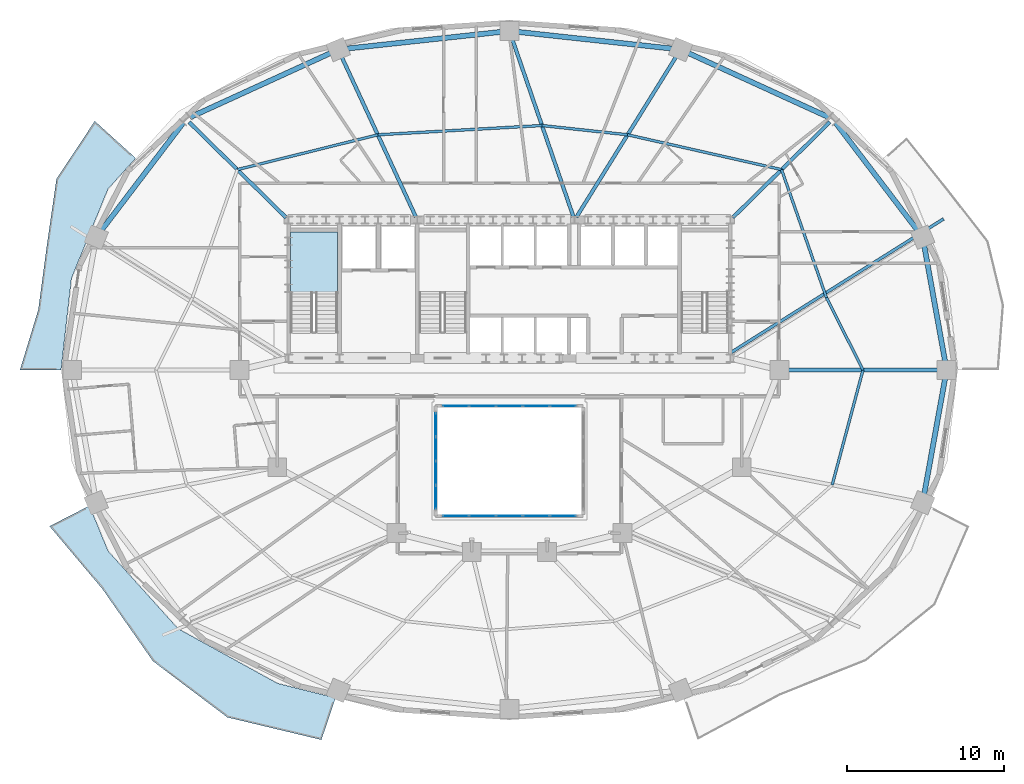
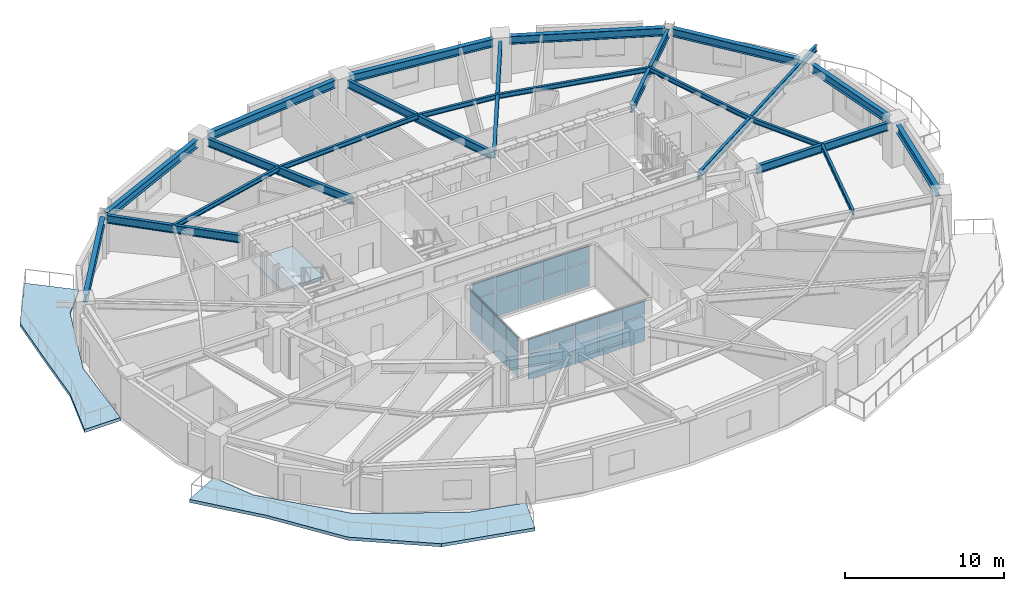
# One storey, part 5 of 14: 28 plates, 22 beams, 3 slabs, 4 elements without a shape of their own.
"""IFC4 building model written with IfcOpenShell, lengths in metres."""

from ifc_helpers import new_model, si_unit, direction, frame, origin, origin_2d, place, context, subcontext, project, spatial, polyline, rectangle, i_section, outline, extrude, material, layer, layer_set, material_profile, profile_set, type_object, element, aggregate, save


model = new_model("IFC4")

# Units and contexts
model_context = context("Model", 3, precision=1e-05, world=origin(), true_north=direction((0.0, 1.0)))
body_context = subcontext(model_context, "Body", "Model", "MODEL_VIEW")
ifc_project = project(units=[si_unit("LENGTHUNIT", "METRE"), si_unit("AREAUNIT", "SQUARE_METRE"), si_unit("VOLUMEUNIT", "CUBIC_METRE"), si_unit("PLANEANGLEUNIT", "RADIAN"), si_unit("MASSUNIT", "GRAM", prefix="KILO")], contexts=[model_context])

# Site, building, storey
site_placement = place(None, origin())
site = spatial("IfcSite", under=ifc_project, at=site_placement, CompositionType="ELEMENT")
building_placement = place(site_placement, origin())
building = spatial("IfcBuilding", under=site, at=building_placement, Name="Haldorwick Loom Tower", CompositionType="ELEMENT")
storey_placement = place(building_placement, frame((0.0, 0.0, 95.60009765625)))
storey = spatial("IfcBuildingStorey", under=building, at=storey_placement, Name="L25", CompositionType="ELEMENT", Elevation=95.60009765625)

# Beams
ifc_material_1 = material(Name="Steel CSA G40.21 350W", Category="steel")
ifc_material_profile_1 = material_profile(ifc_material_1, i_section(OverallWidth=0.193115234375, OverallDepth=0.466064453125, WebThickness=0.011474609375, FlangeThickness=0.01904296875, at=origin_2d()), Name="W460X97", Category="steel")
ifc_profile_set_1 = profile_set([ifc_material_profile_1], Name="Steel CSA G40.21 350W")
beam_type_1 = type_object("IfcBeamType", Name="STR-BM-BAL460", PredefinedType="BEAM", material=ifc_profile_set_1)
beam_1_placement = place(storey_placement, frame((50.111572265625, 27.106689453125, 2.976806640625), z_axis=(0.846609845451, 0.532214026108, 0.0), x_axis=(-0.532214026108, 0.846609845451, 0.0)))
element("IfcBeam", 1, at=beam_1_placement, inside=storey, type_object=beam_type_1, Name="L25 Continuous Back-Spanned Balcony Beam 4", PredefinedType="BEAM", context=body_context, shape_type="SweptSolid", body=[
    extrude(i_section(OverallWidth=0.193115234375, OverallDepth=0.466064453125, WebThickness=0.011474609375, FlangeThickness=0.01904296875, at=origin_2d()), origin(), (0.0, 0.0, 1.0), 16.0068359375),
])
ifc_material_profile_2 = material_profile(ifc_material_1, i_section(OverallWidth=0.172119140625, OverallDepth=0.35791015625, WebThickness=0.0078125, FlangeThickness=0.01318359375, at=origin_2d()), Name="W360X57", Category="steel")
ifc_profile_set_2 = profile_set([ifc_material_profile_2], Name="Steel CSA G40.21 350W")
beam_type_2 = type_object("IfcBeamType", Name="STR-BM-J360", PredefinedType="JOIST", material=ifc_profile_set_2)
beam_2_placement = place(storey_placement, frame((58.52880859375, 26.0, 3.031005859375), z_axis=(-0.451373231558, 0.892335254169, 0.0), x_axis=(-0.892335254169, -0.451373231558, 0.0)))
element("IfcBeam", 2, at=beam_2_placement, inside=storey, type_object=beam_type_2, Name="L25 Mid-Bay Secondary Joist 1", PredefinedType="JOIST", context=body_context, shape_type="SweptSolid", body=[
    extrude(i_section(OverallWidth=0.172119140625, OverallDepth=0.35791015625, WebThickness=0.0078125, FlangeThickness=0.01318359375, at=origin_2d()), origin(), (0.0, 0.0, 1.0), 5.158935546875),
])
beam_3_placement = place(storey_placement, frame((56.2001953125, 30.603515625, 3.031005859375), z_axis=(-0.330864603503, 0.943678236556, 0.0), x_axis=(-0.943678236556, -0.330864603503, 0.0)))
element("IfcBeam", 3, at=beam_3_placement, inside=storey, type_object=beam_type_2, Name="L25 Mid-Bay Secondary Joist 2", PredefinedType="JOIST", context=body_context, shape_type="SweptSolid", body=[
    extrude(i_section(OverallWidth=0.172119140625, OverallDepth=0.35791015625, WebThickness=0.0078125, FlangeThickness=0.01318359375, at=origin_2d()), origin(), (0.0, 0.0, 1.0), 8.6494140625),
])
beam_4_placement = place(storey_placement, frame((53.33837890625, 38.765869140625, 3.031005859375), z_axis=(-0.975380231772, 0.22052982444, 0.0), x_axis=(-0.22052982444, -0.975380231772, 0.0)))
element("IfcBeam", 4, at=beam_4_placement, inside=storey, type_object=beam_type_2, Name="L25 Mid-Bay Secondary Joist 3", PredefinedType="JOIST", context=body_context, shape_type="SweptSolid", body=[
    extrude(i_section(OverallWidth=0.172119140625, OverallDepth=0.35791015625, WebThickness=0.0078125, FlangeThickness=0.01318359375, at=origin_2d()), origin(), (0.0, 0.0, 1.0), 10.0576171875),
])
beam_5_placement = place(storey_placement, frame((43.5283203125, 40.98388671875, 3.031005859375), z_axis=(-0.994191869342, 0.107622148904, 0.0), x_axis=(-0.107622148904, -0.994191869342, 0.0)))
element("IfcBeam", 5, at=beam_5_placement, inside=storey, type_object=beam_type_2, Name="L25 Mid-Bay Secondary Joist 4", PredefinedType="JOIST", context=body_context, shape_type="SweptSolid", body=[
    extrude(i_section(OverallWidth=0.172119140625, OverallDepth=0.35791015625, WebThickness=0.0078125, FlangeThickness=0.01318359375, at=origin_2d()), origin(), (0.0, 0.0, 1.0), 5.485107421875),
])
beam_6_placement = place(storey_placement, frame((38.074951171875, 41.57421875, 3.031005859375), z_axis=(-0.998412171013, -0.056330602457, 0.0), x_axis=(0.056330602457, -0.998412171013, 0.0)))
element("IfcBeam", 6, at=beam_6_placement, inside=storey, type_object=beam_type_2, Name="L25 Mid-Bay Secondary Joist 5", PredefinedType="JOIST", context=body_context, shape_type="SweptSolid", body=[
    extrude(i_section(OverallWidth=0.172119140625, OverallDepth=0.35791015625, WebThickness=0.0078125, FlangeThickness=0.01318359375, at=origin_2d()), origin(), (0.0, 0.0, 1.0), 10.479736328125),
])
beam_7_placement = place(storey_placement, frame((27.61181640625, 40.98388671875, 3.031005859375), z_axis=(-0.970638838364, -0.240541567009, 0.0), x_axis=(0.240541567009, -0.970638838364, 0.0)))
element("IfcBeam", 7, at=beam_7_placement, inside=storey, type_object=beam_type_2, Name="L25 Mid-Bay Secondary Joist 6", PredefinedType="JOIST", context=body_context, shape_type="SweptSolid", body=[
    extrude(i_section(OverallWidth=0.172119140625, OverallDepth=0.35791015625, WebThickness=0.0078125, FlangeThickness=0.01318359375, at=origin_2d()), origin(), (0.0, 0.0, 1.0), 9.220947265625),
])
beam_8_placement = place(storey_placement, frame((56.565185546875, 18.67138671875, 3.031005859375), z_axis=(0.258810072536, 0.965928230436, 0.0), x_axis=(-0.965928230436, 0.258810072536, 0.0)))
element("IfcBeam", 8, at=beam_8_placement, inside=storey, type_object=beam_type_2, Name="L25 Mid-Bay Secondary Joist 16", PredefinedType="JOIST", context=body_context, shape_type="SweptSolid", body=[
    extrude(i_section(OverallWidth=0.172119140625, OverallDepth=0.35791015625, WebThickness=0.0078125, FlangeThickness=0.01318359375, at=origin_2d()), origin(), (0.0, 0.0, 1.0), 7.587158203125),
])
ifc_material_profile_3 = material_profile(ifc_material_1, i_section(OverallWidth=0.324951171875, OverallDepth=0.615966796875, WebThickness=0.013916015625, FlangeThickness=0.021484375, at=origin_2d()), Name="W610X174", Category="steel")
ifc_profile_set_3 = profile_set([ifc_material_profile_3], Name="Steel CSA G40.21 350W")
beam_type_3 = type_object("IfcBeamType", Name="STR-BM-SP610", PredefinedType="SPANDREL", material=ifc_profile_set_3)
beam_9_placement = place(storey_placement, frame((63.76513671875, 26.51171875, 2.90185546875), z_axis=(-0.177659490888, 0.984092020747, 0.0), x_axis=(-0.984092020747, -0.177659490888, 0.0)))
element("IfcBeam", 9, at=beam_9_placement, inside=storey, type_object=beam_type_3, Name="L25 Perimeter Spandrel 1", PredefinedType="SPANDREL", context=body_context, shape_type="SweptSolid", body=[
    extrude(i_section(OverallWidth=0.324951171875, OverallDepth=0.615966796875, WebThickness=0.013916015625, FlangeThickness=0.021484375, at=origin_2d()), origin(), (0.0, 0.0, 1.0), 7.553955078125),
])
beam_10_placement = place(storey_placement, frame((62.015869140625, 34.87109375, 2.90185546875), z_axis=(-0.605453508047, 0.795880675475, 0.0), x_axis=(-0.795880675475, -0.605453508047, 0.0)))
element("IfcBeam", 10, at=beam_10_placement, inside=storey, type_object=beam_type_3, Name="L25 Perimeter Spandrel 2", PredefinedType="SPANDREL", context=body_context, shape_type="SweptSolid", body=[
    extrude(i_section(OverallWidth=0.324951171875, OverallDepth=0.615966796875, WebThickness=0.013916015625, FlangeThickness=0.021484375, at=origin_2d()), origin(), (0.0, 0.0, 1.0), 8.6591796875),
])
beam_11_placement = place(storey_placement, frame((56.356689453125, 42.09619140625, 2.90185546875), z_axis=(-0.909423969306, 0.415870225011, 0.0), x_axis=(-0.415870225011, -0.909423969306, 0.0)))
element("IfcBeam", 11, at=beam_11_placement, inside=storey, type_object=beam_type_3, Name="L25 Perimeter Spandrel 3", PredefinedType="SPANDREL", context=body_context, shape_type="SweptSolid", body=[
    extrude(i_section(OverallWidth=0.324951171875, OverallDepth=0.615966796875, WebThickness=0.013916015625, FlangeThickness=0.021484375, at=origin_2d()), origin(), (0.0, 0.0, 1.0), 9.871337890625),
])
for number, where, z_axis, x_axis, name in (
    (12, (46.389404296875, 46.4736328125, 2.90185546875), (-0.994190135627, 0.107638163409, 0.0), (-0.107638163409, -0.994190135627, 0.0), "L25 Perimeter Spandrel 4"),
    (13, (35.48291015625, 47.54248046875, 2.90185546875), (-0.994190135627, -0.107638163409, 0.0), (0.107638163409, -0.994190135627, 0.0), "L25 Perimeter Spandrel 5"),
):
    element("IfcBeam", number, at=place(storey_placement, frame(where, z_axis=z_axis, x_axis=x_axis)), inside=storey, type_object=beam_type_3, Name=name, PredefinedType="SPANDREL", context=body_context, shape_type="SweptSolid", body=[
        extrude(i_section(OverallWidth=0.324951171875, OverallDepth=0.615966796875, WebThickness=0.013916015625, FlangeThickness=0.021484375, at=origin_2d()), origin(), (0.0, 0.0, 1.0), 9.929931640625),
    ])
beam_12_placement = place(storey_placement, frame((24.62060546875, 46.201416015625, 2.90185546875), z_axis=(-0.909423969306, -0.415870225011, 0.0), x_axis=(0.415870225011, -0.909423969306, 0.0)))
element("IfcBeam", 14, at=beam_12_placement, inside=storey, type_object=beam_type_3, Name="L25 Perimeter Spandrel 6", PredefinedType="SPANDREL", context=body_context, shape_type="SweptSolid", body=[
    extrude(i_section(OverallWidth=0.324951171875, OverallDepth=0.615966796875, WebThickness=0.013916015625, FlangeThickness=0.021484375, at=origin_2d()), origin(), (0.0, 0.0, 1.0), 9.871337890625),
])
beam_13_placement = place(storey_placement, frame((15.226806640625, 41.7626953125, 2.90185546875), z_axis=(-0.605453508047, -0.795880675475, 0.0), x_axis=(0.795880675475, -0.605453508047, 0.0)))
element("IfcBeam", 15, at=beam_13_placement, inside=storey, type_object=beam_type_3, Name="L25 Perimeter Spandrel 7", PredefinedType="SPANDREL", context=body_context, shape_type="SweptSolid", body=[
    extrude(i_section(OverallWidth=0.324951171875, OverallDepth=0.615966796875, WebThickness=0.013916015625, FlangeThickness=0.021484375, at=origin_2d()), origin(), (0.0, 0.0, 1.0), 8.6591796875),
])
beam_14_placement = place(storey_placement, frame((62.423095703125, 18.054443359375, 2.90185546875), z_axis=(0.177659490888, 0.984092020747, 0.0), x_axis=(-0.984092020747, 0.177659490888, 0.0)))
element("IfcBeam", 16, at=beam_14_placement, inside=storey, type_object=beam_type_3, Name="L25 Perimeter Spandrel 16", PredefinedType="SPANDREL", context=body_context, shape_type="SweptSolid", body=[
    extrude(i_section(OverallWidth=0.324951171875, OverallDepth=0.615966796875, WebThickness=0.013916015625, FlangeThickness=0.021484375, at=origin_2d()), origin(), (0.0, 0.0, 1.0), 7.553955078125),
])
ifc_material_profile_4 = material_profile(ifc_material_1, i_section(OverallWidth=0.22998046875, OverallDepth=0.616943359375, WebThickness=0.01318359375, FlangeThickness=0.022216796875, at=origin_2d()), Name="W610X140", Category="steel")
ifc_profile_set_4 = profile_set([ifc_material_profile_4], Name="Steel CSA G40.21 350W")
beam_type_4 = type_object("IfcBeamType", Name="STR-BM-W610B", PredefinedType="BEAM", material=ifc_profile_set_4)
beam_15_placement = place(storey_placement, frame((53.719970703125, 26.0, 2.9013671875), z_axis=(1.0, 0.0, 0.0), x_axis=(0.0, 1.0, 0.0)))
element("IfcBeam", 17, at=beam_15_placement, inside=storey, type_object=beam_type_4, Name="L25 Radial Floor Girder 1", PredefinedType="BEAM", context=body_context, shape_type="SweptSolid", body=[
    extrude(i_section(OverallWidth=0.22998046875, OverallDepth=0.616943359375, WebThickness=0.01318359375, FlangeThickness=0.022216796875, at=origin_2d()), origin(), (0.0, 0.0, 1.0), 9.61767578125),
])
beam_16_placement = place(storey_placement, frame((50.23046875, 35.707763671875, 2.9013671875), z_axis=(0.712813667541, 0.701353459653, 0.0), x_axis=(-0.701353459653, 0.712813667541, 0.0)))
element("IfcBeam", 18, at=beam_16_placement, inside=storey, type_object=beam_type_4, Name="L25 Radial Floor Girder 3", PredefinedType="BEAM", context=body_context, shape_type="SweptSolid", body=[
    extrude(i_section(OverallWidth=0.22998046875, OverallDepth=0.616943359375, WebThickness=0.01318359375, FlangeThickness=0.022216796875, at=origin_2d()), origin(), (0.0, 0.0, 1.0), 8.67041015625),
])
beam_17_placement = place(storey_placement, frame((40.268798828125, 35.7412109375, 2.9013671875), z_axis=(0.527983484361, 0.849254638046, 0.0), x_axis=(-0.849254638046, 0.527983484361, 0.0)))
element("IfcBeam", 19, at=beam_17_placement, inside=storey, type_object=beam_type_4, Name="L25 Radial Floor Girder 4", PredefinedType="BEAM", context=body_context, shape_type="SweptSolid", body=[
    extrude(i_section(OverallWidth=0.22998046875, OverallDepth=0.616943359375, WebThickness=0.01318359375, FlangeThickness=0.022216796875, at=origin_2d()), origin(), (0.0, 0.0, 1.0), 12.051513671875),
])
beam_18_placement = place(storey_placement, frame((40.07666015625, 35.7626953125, 2.9013671875), z_axis=(-0.325673980289, 0.945482130218, 0.0), x_axis=(-0.945482130218, -0.325673980289, 0.0)))
element("IfcBeam", 20, at=beam_18_placement, inside=storey, type_object=beam_type_4, Name="L25 Radial Floor Girder 5", PredefinedType="BEAM", context=body_context, shape_type="SweptSolid", body=[
    extrude(i_section(OverallWidth=0.22998046875, OverallDepth=0.616943359375, WebThickness=0.01318359375, FlangeThickness=0.022216796875, at=origin_2d()), origin(), (0.0, 0.0, 1.0), 11.998046875),
])
beam_19_placement = place(storey_placement, frame((30.035400390625, 35.754150390625, 2.9013671875), z_axis=(-0.420492432459, 0.907296045536, 0.0), x_axis=(-0.907296045536, -0.420492432459, 0.0)))
element("IfcBeam", 21, at=beam_19_placement, inside=storey, type_object=beam_type_4, Name="L25 Radial Floor Girder 6", PredefinedType="BEAM", context=body_context, shape_type="SweptSolid", body=[
    extrude(i_section(OverallWidth=0.22998046875, OverallDepth=0.616943359375, WebThickness=0.01318359375, FlangeThickness=0.022216796875, at=origin_2d()), origin(), (0.0, 0.0, 1.0), 11.23291015625),
])
beam_20_placement = place(storey_placement, frame((21.76953125, 35.707763671875, 2.9013671875), z_axis=(-0.712813667541, 0.701353459653, 0.0), x_axis=(-0.701353459653, -0.712813667541, 0.0)))
element("IfcBeam", 22, at=beam_20_placement, inside=storey, type_object=beam_type_4, Name="L25 Radial Floor Girder 7", PredefinedType="BEAM", context=body_context, shape_type="SweptSolid", body=[
    extrude(i_section(OverallWidth=0.22998046875, OverallDepth=0.616943359375, WebThickness=0.01318359375, FlangeThickness=0.022216796875, at=origin_2d()), origin(), (0.0, 0.0, 1.0), 8.67041015625),
])

# Curtain wall, plates
ifc_material_2 = material(Name="Thermally Broken Anodized Aluminium Curtain Wall Framing", Category="aluminium")
curtain_wall_type = type_object("IfcCurtainWallType", Name="ARC-CW-03", PredefinedType="NOTDEFINED", material=ifc_material_2)
curtain_wall_1_placement = place(storey_placement, origin())
curtain_wall_1 = element("IfcCurtainWall", 23, at=curtain_wall_1_placement, inside=storey, type_object=curtain_wall_type, Name="L25 Atrium Glazed Screen S", PredefinedType="NOTDEFINED")
ifc_material_3 = material(Name="Triple-Glazed Low-E Argon Insulated Glazing Unit", Category="glass")
ifc_layer_1 = layer(ifc_material_3, 0.04296875, Name="Triple-Glazed Low-E Argon Insulated Glazing Unit", Category="glass")
ifc_layer_set_1 = layer_set([ifc_layer_1], Name="Triple-Glazed Low-E Argon Insulated Glazing Unit")
plate_type = type_object("IfcPlateType", Name="ARC-CWP-03", PredefinedType="CURTAIN_PANEL", material=ifc_layer_set_1)
plate_1_placement = place(storey_placement, frame((39.423583984375, 16.699951171875, 0.06591796875), z_axis=(0.0, 0.0, 1.0), x_axis=(-1.0, 0.0, 0.0)))
plate_1 = element("IfcPlate", 24, at=plate_1_placement, type_object=plate_type, Name="CW-03 panel 1.1", PredefinedType="CURTAIN_PANEL", context=body_context, shape_type="SweptSolid", body=[
    extrude(rectangle(XDim=1.62109375, YDim=0.04296875, at=origin_2d()), origin(), (0.0, 0.0, 1.0), 1.90087890625),
])
plate_2_placement = place(storey_placement, frame((39.423583984375, 16.699951171875, 2.03271484375), z_axis=(0.0, 0.0, 1.0), x_axis=(-1.0, 0.0, 0.0)))
plate_2 = element("IfcPlate", 25, at=plate_2_placement, type_object=plate_type, Name="CW-03 panel 1.2", PredefinedType="CURTAIN_PANEL", context=body_context, shape_type="SweptSolid", body=[
    extrude(rectangle(XDim=1.62109375, YDim=0.04296875, at=origin_2d()), origin(), (0.0, 0.0, 1.0), 1.111083984375),
])
plate_3_placement = place(storey_placement, frame((37.719970703125, 16.699951171875, 0.06591796875), z_axis=(0.0, 0.0, 1.0), x_axis=(-1.0, 0.0, 0.0)))
plate_3 = element("IfcPlate", 26, at=plate_3_placement, type_object=plate_type, Name="CW-03 panel 2.1", PredefinedType="CURTAIN_PANEL", context=body_context, shape_type="SweptSolid", body=[
    extrude(rectangle(XDim=1.654052734375, YDim=0.04296875, at=origin_2d()), origin(), (0.0, 0.0, 1.0), 1.90087890625),
])
plate_4_placement = place(storey_placement, frame((37.719970703125, 16.699951171875, 2.03271484375), z_axis=(0.0, 0.0, 1.0), x_axis=(-1.0, 0.0, 0.0)))
plate_4 = element("IfcPlate", 27, at=plate_4_placement, type_object=plate_type, Name="CW-03 panel 2.2", PredefinedType="CURTAIN_PANEL", context=body_context, shape_type="SweptSolid", body=[
    extrude(rectangle(XDim=1.654052734375, YDim=0.04296875, at=origin_2d()), origin(), (0.0, 0.0, 1.0), 1.111083984375),
])
plate_5_placement = place(storey_placement, frame((36.0, 16.699951171875, 0.06591796875), z_axis=(0.0, 0.0, 1.0), x_axis=(-1.0, 0.0, 0.0)))
plate_5 = element("IfcPlate", 28, at=plate_5_placement, type_object=plate_type, Name="CW-03 panel 3.1", PredefinedType="CURTAIN_PANEL", context=body_context, shape_type="SweptSolid", body=[
    extrude(rectangle(XDim=1.654052734375, YDim=0.04296875, at=origin_2d()), origin(), (0.0, 0.0, 1.0), 1.90087890625),
])
plate_6_placement = place(storey_placement, frame((36.0, 16.699951171875, 2.03271484375), z_axis=(0.0, 0.0, 1.0), x_axis=(-1.0, 0.0, 0.0)))
plate_6 = element("IfcPlate", 29, at=plate_6_placement, type_object=plate_type, Name="CW-03 panel 3.2", PredefinedType="CURTAIN_PANEL", context=body_context, shape_type="SweptSolid", body=[
    extrude(rectangle(XDim=1.654052734375, YDim=0.04296875, at=origin_2d()), origin(), (0.0, 0.0, 1.0), 1.111083984375),
])
plate_7_placement = place(storey_placement, frame((34.280029296875, 16.699951171875, 0.06591796875), z_axis=(0.0, 0.0, 1.0), x_axis=(-1.0, 0.0, 0.0)))
plate_7 = element("IfcPlate", 30, at=plate_7_placement, type_object=plate_type, Name="CW-03 panel 4.1", PredefinedType="CURTAIN_PANEL", context=body_context, shape_type="SweptSolid", body=[
    extrude(rectangle(XDim=1.654052734375, YDim=0.04296875, at=origin_2d()), origin(), (0.0, 0.0, 1.0), 1.90087890625),
])
plate_8_placement = place(storey_placement, frame((34.280029296875, 16.699951171875, 2.03271484375), z_axis=(0.0, 0.0, 1.0), x_axis=(-1.0, 0.0, 0.0)))
plate_8 = element("IfcPlate", 31, at=plate_8_placement, type_object=plate_type, Name="CW-03 panel 4.2", PredefinedType="CURTAIN_PANEL", context=body_context, shape_type="SweptSolid", body=[
    extrude(rectangle(XDim=1.654052734375, YDim=0.04296875, at=origin_2d()), origin(), (0.0, 0.0, 1.0), 1.111083984375),
])
plate_9_placement = place(storey_placement, frame((32.576416015625, 16.699951171875, 0.06591796875), z_axis=(0.0, 0.0, 1.0), x_axis=(-1.0, 0.0, 0.0)))
plate_9 = element("IfcPlate", 32, at=plate_9_placement, type_object=plate_type, Name="CW-03 panel 5.1", PredefinedType="CURTAIN_PANEL", context=body_context, shape_type="SweptSolid", body=[
    extrude(rectangle(XDim=1.62109375, YDim=0.04296875, at=origin_2d()), origin(), (0.0, 0.0, 1.0), 1.90087890625),
])
plate_10_placement = place(storey_placement, frame((32.576416015625, 16.699951171875, 2.03271484375), z_axis=(0.0, 0.0, 1.0), x_axis=(-1.0, 0.0, 0.0)))
plate_10 = element("IfcPlate", 33, at=plate_10_placement, type_object=plate_type, Name="CW-03 panel 5.2", PredefinedType="CURTAIN_PANEL", context=body_context, shape_type="SweptSolid", body=[
    extrude(rectangle(XDim=1.62109375, YDim=0.04296875, at=origin_2d()), origin(), (0.0, 0.0, 1.0), 1.111083984375),
])
aggregate(curtain_wall_1, [plate_1, plate_2, plate_3, plate_4, plate_5, plate_6, plate_7, plate_8, plate_9, plate_10])

curtain_wall_2_placement = place(storey_placement, origin())
curtain_wall_2 = element("IfcCurtainWall", 34, at=curtain_wall_2_placement, inside=storey, type_object=curtain_wall_type, Name="L25 Atrium Glazed Screen N", PredefinedType="NOTDEFINED")
plate_11_placement = place(storey_placement, frame((32.576416015625, 23.699951171875, 0.06591796875), z_axis=(0.0, 0.0, 1.0), x_axis=(1.0, 0.0, 0.0)))
plate_11 = element("IfcPlate", 35, at=plate_11_placement, type_object=plate_type, Name="CW-03 panel 1.1", PredefinedType="CURTAIN_PANEL", context=body_context, shape_type="SweptSolid", body=[
    extrude(rectangle(XDim=1.62109375, YDim=0.04296875, at=origin_2d()), origin(), (0.0, 0.0, 1.0), 1.90087890625),
])
plate_12_placement = place(storey_placement, frame((32.576416015625, 23.699951171875, 2.03271484375), z_axis=(0.0, 0.0, 1.0), x_axis=(1.0, 0.0, 0.0)))
plate_12 = element("IfcPlate", 36, at=plate_12_placement, type_object=plate_type, Name="CW-03 panel 1.2", PredefinedType="CURTAIN_PANEL", context=body_context, shape_type="SweptSolid", body=[
    extrude(rectangle(XDim=1.62109375, YDim=0.04296875, at=origin_2d()), origin(), (0.0, 0.0, 1.0), 1.111083984375),
])
plate_13_placement = place(storey_placement, frame((34.280029296875, 23.699951171875, 0.06591796875), z_axis=(0.0, 0.0, 1.0), x_axis=(1.0, 0.0, 0.0)))
plate_13 = element("IfcPlate", 37, at=plate_13_placement, type_object=plate_type, Name="CW-03 panel 2.1", PredefinedType="CURTAIN_PANEL", context=body_context, shape_type="SweptSolid", body=[
    extrude(rectangle(XDim=1.654052734375, YDim=0.04296875, at=origin_2d()), origin(), (0.0, 0.0, 1.0), 1.90087890625),
])
plate_14_placement = place(storey_placement, frame((34.280029296875, 23.699951171875, 2.03271484375), z_axis=(0.0, 0.0, 1.0), x_axis=(1.0, 0.0, 0.0)))
plate_14 = element("IfcPlate", 38, at=plate_14_placement, type_object=plate_type, Name="CW-03 panel 2.2", PredefinedType="CURTAIN_PANEL", context=body_context, shape_type="SweptSolid", body=[
    extrude(rectangle(XDim=1.654052734375, YDim=0.04296875, at=origin_2d()), origin(), (0.0, 0.0, 1.0), 1.111083984375),
])
plate_15_placement = place(storey_placement, frame((36.0, 23.699951171875, 0.06591796875), z_axis=(0.0, 0.0, 1.0), x_axis=(1.0, 0.0, 0.0)))
plate_15 = element("IfcPlate", 39, at=plate_15_placement, type_object=plate_type, Name="CW-03 panel 3.1", PredefinedType="CURTAIN_PANEL", context=body_context, shape_type="SweptSolid", body=[
    extrude(rectangle(XDim=1.654052734375, YDim=0.04296875, at=origin_2d()), origin(), (0.0, 0.0, 1.0), 1.90087890625),
])
plate_16_placement = place(storey_placement, frame((36.0, 23.699951171875, 2.03271484375), z_axis=(0.0, 0.0, 1.0), x_axis=(1.0, 0.0, 0.0)))
plate_16 = element("IfcPlate", 40, at=plate_16_placement, type_object=plate_type, Name="CW-03 panel 3.2", PredefinedType="CURTAIN_PANEL", context=body_context, shape_type="SweptSolid", body=[
    extrude(rectangle(XDim=1.654052734375, YDim=0.04296875, at=origin_2d()), origin(), (0.0, 0.0, 1.0), 1.111083984375),
])
plate_17_placement = place(storey_placement, frame((37.719970703125, 23.699951171875, 0.06591796875), z_axis=(0.0, 0.0, 1.0), x_axis=(1.0, 0.0, 0.0)))
plate_17 = element("IfcPlate", 41, at=plate_17_placement, type_object=plate_type, Name="CW-03 panel 4.1", PredefinedType="CURTAIN_PANEL", context=body_context, shape_type="SweptSolid", body=[
    extrude(rectangle(XDim=1.654052734375, YDim=0.04296875, at=origin_2d()), origin(), (0.0, 0.0, 1.0), 1.90087890625),
])
plate_18_placement = place(storey_placement, frame((37.719970703125, 23.699951171875, 2.03271484375), z_axis=(0.0, 0.0, 1.0), x_axis=(1.0, 0.0, 0.0)))
plate_18 = element("IfcPlate", 42, at=plate_18_placement, type_object=plate_type, Name="CW-03 panel 4.2", PredefinedType="CURTAIN_PANEL", context=body_context, shape_type="SweptSolid", body=[
    extrude(rectangle(XDim=1.654052734375, YDim=0.04296875, at=origin_2d()), origin(), (0.0, 0.0, 1.0), 1.111083984375),
])
plate_19_placement = place(storey_placement, frame((39.423583984375, 23.699951171875, 0.06591796875), z_axis=(0.0, 0.0, 1.0), x_axis=(1.0, 0.0, 0.0)))
plate_19 = element("IfcPlate", 43, at=plate_19_placement, type_object=plate_type, Name="CW-03 panel 5.1", PredefinedType="CURTAIN_PANEL", context=body_context, shape_type="SweptSolid", body=[
    extrude(rectangle(XDim=1.62109375, YDim=0.04296875, at=origin_2d()), origin(), (0.0, 0.0, 1.0), 1.90087890625),
])
plate_20_placement = place(storey_placement, frame((39.423583984375, 23.699951171875, 2.03271484375), z_axis=(0.0, 0.0, 1.0), x_axis=(1.0, 0.0, 0.0)))
plate_20 = element("IfcPlate", 44, at=plate_20_placement, type_object=plate_type, Name="CW-03 panel 5.2", PredefinedType="CURTAIN_PANEL", context=body_context, shape_type="SweptSolid", body=[
    extrude(rectangle(XDim=1.62109375, YDim=0.04296875, at=origin_2d()), origin(), (0.0, 0.0, 1.0), 1.111083984375),
])
aggregate(curtain_wall_2, [plate_11, plate_12, plate_13, plate_14, plate_15, plate_16, plate_17, plate_18, plate_19, plate_20])

curtain_wall_3_placement = place(storey_placement, origin())
curtain_wall_3 = element("IfcCurtainWall", 45, at=curtain_wall_3_placement, inside=storey, type_object=curtain_wall_type, Name="L25 Atrium Glazed Screen W", PredefinedType="NOTDEFINED")
plate_21_placement = place(storey_placement, frame((31.300048828125, 17.8916015625, 0.06591796875), z_axis=(0.0, 0.0, 1.0), x_axis=(0.0, 1.0, 0.0)))
plate_21 = element("IfcPlate", 46, at=plate_21_placement, type_object=plate_type, Name="CW-03 panel 1.1", PredefinedType="CURTAIN_PANEL", context=body_context, shape_type="SweptSolid", body=[
    extrude(rectangle(XDim=1.450927734375, YDim=0.04296875, at=origin_2d()), origin(), (0.0, 0.0, 1.0), 1.90087890625),
])
plate_22_placement = place(storey_placement, frame((31.300048828125, 17.8916015625, 2.03271484375), z_axis=(0.0, 0.0, 1.0), x_axis=(0.0, 1.0, 0.0)))
plate_22 = element("IfcPlate", 47, at=plate_22_placement, type_object=plate_type, Name="CW-03 panel 1.2", PredefinedType="CURTAIN_PANEL", context=body_context, shape_type="SweptSolid", body=[
    extrude(rectangle(XDim=1.450927734375, YDim=0.04296875, at=origin_2d()), origin(), (0.0, 0.0, 1.0), 1.111083984375),
])
plate_23_placement = place(storey_placement, frame((31.300048828125, 19.425048828125, 0.06591796875), z_axis=(0.0, 0.0, 1.0), x_axis=(0.0, 1.0, 0.0)))
plate_23 = element("IfcPlate", 48, at=plate_23_placement, type_object=plate_type, Name="CW-03 panel 2.1", PredefinedType="CURTAIN_PANEL", context=body_context, shape_type="SweptSolid", body=[
    extrude(rectangle(XDim=1.48388671875, YDim=0.04296875, at=origin_2d()), origin(), (0.0, 0.0, 1.0), 1.90087890625),
])
plate_24_placement = place(storey_placement, frame((31.300048828125, 19.425048828125, 2.03271484375), z_axis=(0.0, 0.0, 1.0), x_axis=(0.0, 1.0, 0.0)))
plate_24 = element("IfcPlate", 49, at=plate_24_placement, type_object=plate_type, Name="CW-03 panel 2.2", PredefinedType="CURTAIN_PANEL", context=body_context, shape_type="SweptSolid", body=[
    extrude(rectangle(XDim=1.48388671875, YDim=0.04296875, at=origin_2d()), origin(), (0.0, 0.0, 1.0), 1.111083984375),
])
plate_25_placement = place(storey_placement, frame((31.300048828125, 20.97509765625, 0.06591796875), z_axis=(0.0, 0.0, 1.0), x_axis=(0.0, 1.0, 0.0)))
plate_25 = element("IfcPlate", 50, at=plate_25_placement, type_object=plate_type, Name="CW-03 panel 3.1", PredefinedType="CURTAIN_PANEL", context=body_context, shape_type="SweptSolid", body=[
    extrude(rectangle(XDim=1.48388671875, YDim=0.04296875, at=origin_2d()), origin(), (0.0, 0.0, 1.0), 1.90087890625),
])
plate_26_placement = place(storey_placement, frame((31.300048828125, 20.97509765625, 2.03271484375), z_axis=(0.0, 0.0, 1.0), x_axis=(0.0, 1.0, 0.0)))
plate_26 = element("IfcPlate", 51, at=plate_26_placement, type_object=plate_type, Name="CW-03 panel 3.2", PredefinedType="CURTAIN_PANEL", context=body_context, shape_type="SweptSolid", body=[
    extrude(rectangle(XDim=1.48388671875, YDim=0.04296875, at=origin_2d()), origin(), (0.0, 0.0, 1.0), 1.111083984375),
])
plate_27_placement = place(storey_placement, frame((31.300048828125, 22.508544921875, 0.06591796875), z_axis=(0.0, 0.0, 1.0), x_axis=(0.0, 1.0, 0.0)))
plate_27 = element("IfcPlate", 52, at=plate_27_placement, type_object=plate_type, Name="CW-03 panel 4.1", PredefinedType="CURTAIN_PANEL", context=body_context, shape_type="SweptSolid", body=[
    extrude(rectangle(XDim=1.450927734375, YDim=0.04296875, at=origin_2d()), origin(), (0.0, 0.0, 1.0), 1.90087890625),
])
plate_28_placement = place(storey_placement, frame((31.300048828125, 22.508544921875, 2.03271484375), z_axis=(0.0, 0.0, 1.0), x_axis=(0.0, 1.0, 0.0)))
plate_28 = element("IfcPlate", 53, at=plate_28_placement, type_object=plate_type, Name="CW-03 panel 4.2", PredefinedType="CURTAIN_PANEL", context=body_context, shape_type="SweptSolid", body=[
    extrude(rectangle(XDim=1.450927734375, YDim=0.04296875, at=origin_2d()), origin(), (0.0, 0.0, 1.0), 1.111083984375),
])
aggregate(curtain_wall_3, [plate_21, plate_22, plate_23, plate_24, plate_25, plate_26, plate_27, plate_28])

# Slabs
ifc_material_4 = material(Name="Concrete C40 (40 MPa)", Category="concrete")
ifc_layer_2 = layer(ifc_material_4, 0.239990234375, Name="Concrete C40 (40 MPa)", Category="concrete")
ifc_layer_set_2 = layer_set([ifc_layer_2], Name="Concrete C40 (40 MPa)")
slab_type_1 = type_object("IfcSlabType", Name="STR-SLB-BAL240", PredefinedType="FLOOR", material=ifc_layer_set_2)
slab_1_placement = place(storey_placement, frame((0.0, 0.0, -0.239990234375)))
element("IfcSlab", 54, at=slab_1_placement, inside=storey, type_object=slab_type_1, Name="L25 Sinusoidal Balcony Terrace BAL_SW", PredefinedType="FLOOR", context=body_context, shape_type="SweptSolid", body=[
    extrude(outline(polyline([(24.9130859375, 5.105224609375), (21.23583984375, 6.022705078125), (21.234619140625, 6.023193359375), (21.2333984375, 6.023681640625), (21.232177734375, 6.0244140625), (14.89111328125, 9.51025390625), (14.8896484375, 9.510986328125), (14.88818359375, 9.51220703125), (14.88720703125, 9.51318359375), (10.4228515625, 14.464599609375), (10.421875, 14.465576171875), (10.421142578125, 14.466552734375), (10.420654296875, 14.4677734375), (10.419921875, 14.468994140625), (9.241455078125, 17.348388671875), (6.699462890625, 16.042236328125), (10.06689453125, 12.043701171875), (13.279541015625, 7.4501953125), (18.021728515625, 3.8662109375), (24.016357421875, 2.43310546875), (24.9130859375, 5.105224609375)])), origin(), (0.0, 0.0, 1.0), 0.239990234375),
])
slab_2_placement = place(storey_placement, frame((0.0, 0.0, -0.239990234375)))
element("IfcSlab", 55, at=slab_2_placement, inside=storey, type_object=slab_type_1, Name="L25 Sinusoidal Balcony Terrace BAL_WNW", PredefinedType="FLOOR", context=body_context, shape_type="SweptSolid", body=[
    extrude(outline(polyline([(7.427490234375, 26.0), (7.427490234375, 26.001708984375), (8.09033203125, 31.837890625), (8.090576171875, 31.83935546875), (8.0908203125, 31.840576171875), (8.09130859375, 31.841796875), (10.419921875, 37.531005859375), (10.420654296875, 37.5322265625), (10.421142578125, 37.533447265625), (10.421875, 37.534423828125), (10.4228515625, 37.535400390625), (12.18701171875, 39.491943359375), (9.576904296875, 41.85400390625), (7.135498046875, 38.163818359375), (6.50537109375, 33.793701171875), (5.980712890625, 29.846435546875), (4.8125, 26.0), (7.427490234375, 26.0)])), origin(), (0.0, 0.0, 1.0), 0.239990234375),
])

# Stair, slab
stair_type = type_object("IfcStairType", Name="STR-STR-CORE", PredefinedType="HALF_TURN_STAIR", material=ifc_material_4)
stair_placement = place(storey_placement, origin())
stair = element("IfcStair", 56, at=stair_placement, inside=storey, type_object=stair_type, Name="L25 Exit Stair ST-01", PredefinedType="HALF_TURN_STAIR")
ifc_layer_3 = layer(ifc_material_4, 0.199951171875, Name="Concrete C40 (40 MPa)", Category="concrete")
ifc_layer_set_3 = layer_set([ifc_layer_3], Name="Concrete C40 (40 MPa)")
slab_type_2 = type_object("IfcSlabType", Name="STR-SLB-LAND200", PredefinedType="LANDING", material=ifc_layer_set_3)
slab_3_placement = place(storey_placement, frame((0.0, 0.0, 1.52490234375)))
slab_3 = element("IfcSlab", 57, at=slab_3_placement, type_object=slab_type_2, Name="ST-01 landing 1", PredefinedType="LANDING", context=body_context, shape_type="SweptSolid", body=[
    extrude(outline(polyline([(25.050048828125, 30.919921875), (25.050048828125, 34.800048828125), (22.050048828125, 34.800048828125), (22.050048828125, 30.919921875), (25.050048828125, 30.919921875)])), origin(), (0.0, 0.0, 1.0), 0.199951171875),
])
aggregate(stair, [slab_3])

save(model, "model.ifc")
